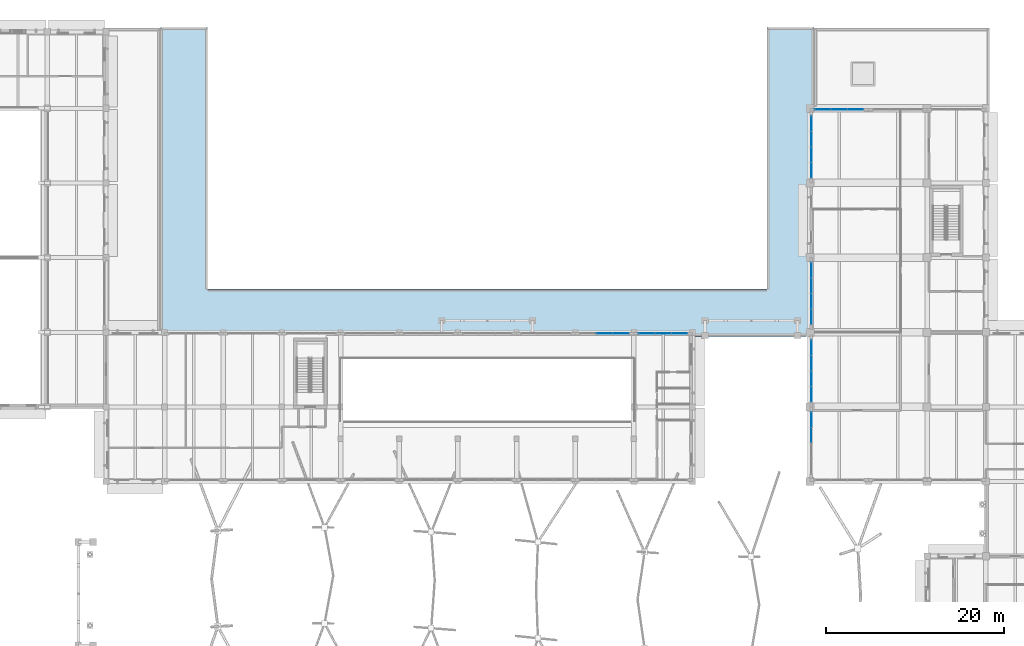
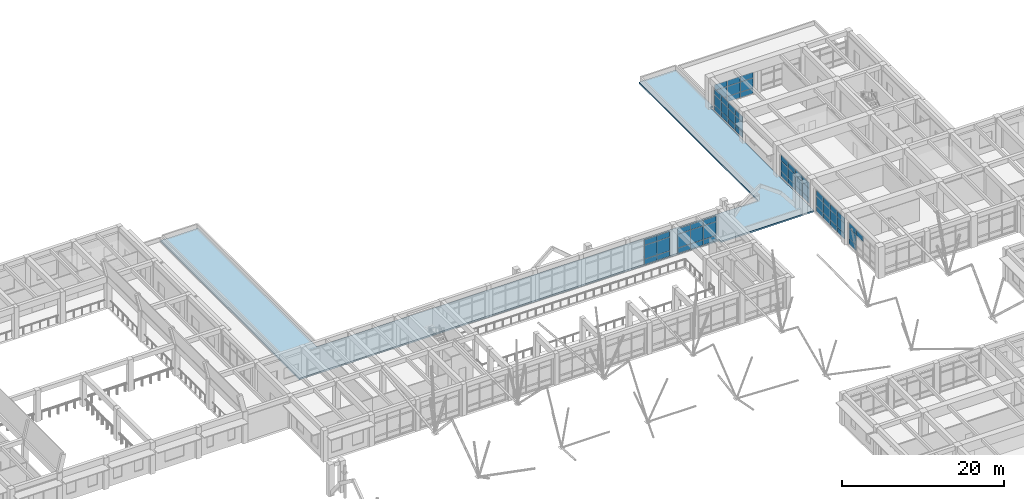
# One storey, part 38 of 75: 64 plates, 1 slab, 7 elements without a shape of their own.
"""IFC4 building model written with IfcOpenShell, lengths in metres."""

from ifc_helpers import new_model, si_unit, direction, frame, origin, origin_2d, place, context, subcontext, project, spatial, polyline, rectangle, outline, extrude, material, layer, layer_set, type_object, element, aggregate, save


model = new_model("IFC4")

# Units and contexts
model_context = context("Model", 3, precision=1e-05, world=origin(), true_north=direction((0.0, 1.0)))
body_context = subcontext(model_context, "Body", "Model", "MODEL_VIEW")
ifc_project = project(units=[si_unit("LENGTHUNIT", "METRE"), si_unit("AREAUNIT", "SQUARE_METRE"), si_unit("VOLUMEUNIT", "CUBIC_METRE"), si_unit("PLANEANGLEUNIT", "RADIAN"), si_unit("MASSUNIT", "GRAM", prefix="KILO")], contexts=[model_context])

# Site, building, storey
site_placement = place(None, origin())
site = spatial("IfcSite", under=ifc_project, at=site_placement, CompositionType="ELEMENT")
building_placement = place(site_placement, origin())
building = spatial("IfcBuilding", under=site, at=building_placement, Name="Kolvaren Faculty of Natural Sciences", CompositionType="ELEMENT")
storey_placement = place(building_placement, frame((0.0, 0.0, 5.39990234375)))
storey = spatial("IfcBuildingStorey", under=building, at=storey_placement, Name="L01", CompositionType="ELEMENT", Elevation=5.39990234375)

# Curtain wall, plate
ifc_material_1 = material(Name="Thermally broken anodised aluminium framing", Category="aluminium")
ifc_layer_1 = layer(ifc_material_1, 0.179931640625)
ifc_layer_set_1 = layer_set([ifc_layer_1], Name="Thermally broken anodised aluminium framing")
curtain_wall_type_1 = type_object("IfcCurtainWallType", Name="CommonsCurtainWall_CW02", PredefinedType="NOTDEFINED", material=ifc_layer_set_1)
curtain_wall_1_placement = place(storey_placement, origin())
curtain_wall_1 = element("IfcCurtainWall", 1, at=curtain_wall_1_placement, inside=storey, type_object=curtain_wall_type_1, Name="L01 unitised curtain wall CW-02 (CW-L01-033)", PredefinedType="NOTDEFINED")
ifc_material_2 = material(Name="Double low-E solar control insulated glazing", Category="glass")
ifc_layer_2 = layer(ifc_material_2, 0.035888671875)
ifc_layer_set_2 = layer_set([ifc_layer_2], Name="Double low-E solar control insulated glazing")
plate_type_1 = type_object("IfcPlateType", Name="EnvelopePlate_CWPGL1", PredefinedType="CURTAIN_PANEL", material=ifc_layer_set_2)
plate_1_placement = place(storey_placement, frame((119.159912109375, 74.37744140625, 0.919921875), z_axis=(0.0, 0.0, 1.0), x_axis=(0.0, 1.0, 0.0)))
plate_1 = element("IfcPlate", 2, at=plate_1_placement, type_object=plate_type_1, Name="CW-L01-033 panel 4 V1", PredefinedType="CURTAIN_PANEL", context=body_context, shape_type="SweptSolid", body=[
    extrude(rectangle(XDim=1.695068359375, YDim=0.035888671875, at=origin_2d()), origin(), (0.0, 0.0, 1.0), 1.4951171875),
])

# Curtain wall, plates
curtain_wall_2_placement = place(storey_placement, origin())
curtain_wall_2 = element("IfcCurtainWall", 3, at=curtain_wall_2_placement, inside=storey, type_object=curtain_wall_type_1, Name="L01 unitised curtain wall CW-02 (CW-L01-034)", PredefinedType="NOTDEFINED")
plate_2_placement = place(storey_placement, frame((119.159912109375, 77.222412109375, 0.919921875), z_axis=(0.0, 0.0, 1.0), x_axis=(0.0, 1.0, 0.0)))
plate_2 = element("IfcPlate", 4, at=plate_2_placement, type_object=plate_type_1, Name="CW-L01-034 panel 1 V1", PredefinedType="CURTAIN_PANEL", context=body_context, shape_type="SweptSolid", body=[
    extrude(rectangle(XDim=1.695068359375, YDim=0.035888671875, at=origin_2d()), origin(), (0.0, 0.0, 1.0), 1.4951171875),
])
plate_3_placement = place(storey_placement, frame((119.159912109375, 78.967529296875, 0.919921875), z_axis=(0.0, 0.0, 1.0), x_axis=(0.0, 1.0, 0.0)))
plate_3 = element("IfcPlate", 5, at=plate_3_placement, type_object=plate_type_1, Name="CW-L01-034 panel 2 V1", PredefinedType="CURTAIN_PANEL", context=body_context, shape_type="SweptSolid", body=[
    extrude(rectangle(XDim=1.695068359375, YDim=0.035888671875, at=origin_2d()), origin(), (0.0, 0.0, 1.0), 1.4951171875),
])
plate_4_placement = place(storey_placement, frame((119.159912109375, 80.71240234375, 0.919921875), z_axis=(0.0, 0.0, 1.0), x_axis=(0.0, 1.0, 0.0)))
plate_4 = element("IfcPlate", 6, at=plate_4_placement, type_object=plate_type_1, Name="CW-L01-034 panel 3 V1", PredefinedType="CURTAIN_PANEL", context=body_context, shape_type="SweptSolid", body=[
    extrude(rectangle(XDim=1.695068359375, YDim=0.035888671875, at=origin_2d()), origin(), (0.0, 0.0, 1.0), 1.4951171875),
])
plate_5_placement = place(storey_placement, frame((119.159912109375, 82.45751953125, 0.919921875), z_axis=(0.0, 0.0, 1.0), x_axis=(0.0, 1.0, 0.0)))
plate_5 = element("IfcPlate", 7, at=plate_5_placement, type_object=plate_type_1, Name="CW-L01-034 panel 4 V1", PredefinedType="CURTAIN_PANEL", context=body_context, shape_type="SweptSolid", body=[
    extrude(rectangle(XDim=1.695068359375, YDim=0.035888671875, at=origin_2d()), origin(), (0.0, 0.0, 1.0), 1.4951171875),
])

curtain_wall_3_placement = place(storey_placement, origin())
curtain_wall_3 = element("IfcCurtainWall", 8, at=curtain_wall_3_placement, inside=storey, type_object=curtain_wall_type_1, Name="L01 unitised curtain wall CW-02 (CW-L01-035)", PredefinedType="NOTDEFINED")
plate_6_placement = place(storey_placement, frame((119.159912109375, 85.9423828125, 0.919921875), z_axis=(0.0, 0.0, 1.0), x_axis=(0.0, 1.0, 0.0)))
plate_6 = element("IfcPlate", 9, at=plate_6_placement, type_object=plate_type_1, Name="CW-L01-035 panel 1 V1", PredefinedType="CURTAIN_PANEL", context=body_context, shape_type="SweptSolid", body=[
    extrude(rectangle(XDim=1.695068359375, YDim=0.035888671875, at=origin_2d()), origin(), (0.0, 0.0, 1.0), 1.4951171875),
])
plate_7_placement = place(storey_placement, frame((119.159912109375, 87.6875, 0.919921875), z_axis=(0.0, 0.0, 1.0), x_axis=(0.0, 1.0, 0.0)))
plate_7 = element("IfcPlate", 10, at=plate_7_placement, type_object=plate_type_1, Name="CW-L01-035 panel 2 V1", PredefinedType="CURTAIN_PANEL", context=body_context, shape_type="SweptSolid", body=[
    extrude(rectangle(XDim=1.695068359375, YDim=0.035888671875, at=origin_2d()), origin(), (0.0, 0.0, 1.0), 1.4951171875),
])
plate_8_placement = place(storey_placement, frame((119.159912109375, 89.4326171875, 0.919921875), z_axis=(0.0, 0.0, 1.0), x_axis=(0.0, 1.0, 0.0)))
plate_8 = element("IfcPlate", 11, at=plate_8_placement, type_object=plate_type_1, Name="CW-L01-035 panel 3 V1", PredefinedType="CURTAIN_PANEL", context=body_context, shape_type="SweptSolid", body=[
    extrude(rectangle(XDim=1.695068359375, YDim=0.035888671875, at=origin_2d()), origin(), (0.0, 0.0, 1.0), 1.4951171875),
])
plate_9_placement = place(storey_placement, frame((119.159912109375, 91.177490234375, 0.919921875), z_axis=(0.0, 0.0, 1.0), x_axis=(0.0, 1.0, 0.0)))
plate_9 = element("IfcPlate", 12, at=plate_9_placement, type_object=plate_type_1, Name="CW-L01-035 panel 4 V1", PredefinedType="CURTAIN_PANEL", context=body_context, shape_type="SweptSolid", body=[
    extrude(rectangle(XDim=1.695068359375, YDim=0.035888671875, at=origin_2d()), origin(), (0.0, 0.0, 1.0), 1.4951171875),
])

curtain_wall_4_placement = place(storey_placement, origin())
curtain_wall_4 = element("IfcCurtainWall", 13, at=curtain_wall_4_placement, inside=storey, type_object=curtain_wall_type_1, Name="L01 unitised curtain wall CW-02 (CW-L01-036)", PredefinedType="NOTDEFINED")
plate_10_placement = place(storey_placement, frame((119.159912109375, 102.422607421875, 0.919921875), z_axis=(0.0, 0.0, 1.0), x_axis=(0.0, 1.0, 0.0)))
plate_10 = element("IfcPlate", 14, at=plate_10_placement, type_object=plate_type_1, Name="CW-L01-036 panel 1 V1", PredefinedType="CURTAIN_PANEL", context=body_context, shape_type="SweptSolid", body=[
    extrude(rectangle(XDim=1.695068359375, YDim=0.035888671875, at=origin_2d()), origin(), (0.0, 0.0, 1.0), 1.4951171875),
])
plate_11_placement = place(storey_placement, frame((119.159912109375, 104.16748046875, 0.919921875), z_axis=(0.0, 0.0, 1.0), x_axis=(0.0, 1.0, 0.0)))
plate_11 = element("IfcPlate", 15, at=plate_11_placement, type_object=plate_type_1, Name="CW-L01-036 panel 2 V1", PredefinedType="CURTAIN_PANEL", context=body_context, shape_type="SweptSolid", body=[
    extrude(rectangle(XDim=1.695068359375, YDim=0.035888671875, at=origin_2d()), origin(), (0.0, 0.0, 1.0), 1.4951171875),
])
plate_12_placement = place(storey_placement, frame((119.159912109375, 105.91259765625, 0.919921875), z_axis=(0.0, 0.0, 1.0), x_axis=(0.0, 1.0, 0.0)))
plate_12 = element("IfcPlate", 16, at=plate_12_placement, type_object=plate_type_1, Name="CW-L01-036 panel 3 V1", PredefinedType="CURTAIN_PANEL", context=body_context, shape_type="SweptSolid", body=[
    extrude(rectangle(XDim=1.695068359375, YDim=0.035888671875, at=origin_2d()), origin(), (0.0, 0.0, 1.0), 1.4951171875),
])
plate_13_placement = place(storey_placement, frame((119.159912109375, 107.657470703125, 0.919921875), z_axis=(0.0, 0.0, 1.0), x_axis=(0.0, 1.0, 0.0)))
plate_13 = element("IfcPlate", 17, at=plate_13_placement, type_object=plate_type_1, Name="CW-L01-036 panel 4 V1", PredefinedType="CURTAIN_PANEL", context=body_context, shape_type="SweptSolid", body=[
    extrude(rectangle(XDim=1.695068359375, YDim=0.035888671875, at=origin_2d()), origin(), (0.0, 0.0, 1.0), 1.4951171875),
])

curtain_wall_5_placement = place(storey_placement, origin())
curtain_wall_5 = element("IfcCurtainWall", 18, at=curtain_wall_5_placement, inside=storey, type_object=curtain_wall_type_1, Name="L01 unitised curtain wall CW-02 (CW-L01-037)", PredefinedType="NOTDEFINED")
plate_14_placement = place(storey_placement, frame((120.466796875, 109.239990234375, 0.919921875), z_axis=(0.0, 0.0, 1.0), x_axis=(1.0, 0.0, 0.0)))
plate_14 = element("IfcPlate", 19, at=plate_14_placement, type_object=plate_type_1, Name="CW-L01-037 panel 1 V1", PredefinedType="CURTAIN_PANEL", context=body_context, shape_type="SweptSolid", body=[
    extrude(rectangle(XDim=1.783203125, YDim=0.035888671875, at=origin_2d()), origin(), (0.0, 0.0, 1.0), 1.4951171875),
])
plate_15_placement = place(storey_placement, frame((122.300048828125, 109.239990234375, 0.919921875), z_axis=(0.0, 0.0, 1.0), x_axis=(1.0, 0.0, 0.0)))
plate_15 = element("IfcPlate", 20, at=plate_15_placement, type_object=plate_type_1, Name="CW-L01-037 panel 2 V1", PredefinedType="CURTAIN_PANEL", context=body_context, shape_type="SweptSolid", body=[
    extrude(rectangle(XDim=1.783203125, YDim=0.035888671875, at=origin_2d()), origin(), (0.0, 0.0, 1.0), 1.4951171875),
])
plate_16_placement = place(storey_placement, frame((124.13330078125, 109.239990234375, 0.919921875), z_axis=(0.0, 0.0, 1.0), x_axis=(1.0, 0.0, 0.0)))
plate_16 = element("IfcPlate", 21, at=plate_16_placement, type_object=plate_type_1, Name="CW-L01-037 panel 3 V1", PredefinedType="CURTAIN_PANEL", context=body_context, shape_type="SweptSolid", body=[
    extrude(rectangle(XDim=1.783203125, YDim=0.035888671875, at=origin_2d()), origin(), (0.0, 0.0, 1.0), 1.4951171875),
])

ifc_layer_3 = layer(ifc_material_1, 0.179931640625)
ifc_layer_set_3 = layer_set([ifc_layer_3], Name="Thermally broken anodised aluminium framing")
curtain_wall_type_2 = type_object("IfcCurtainWallType", Name="AtriumCurtainWall_CW01", PredefinedType="NOTDEFINED", material=ifc_layer_set_3)
curtain_wall_6_placement = place(storey_placement, origin())
curtain_wall_6 = element("IfcCurtainWall", 22, at=curtain_wall_6_placement, inside=storey, type_object=curtain_wall_type_2, Name="L01 unitised curtain wall CW-01 (CW-L01-060)", PredefinedType="NOTDEFINED")
plate_17_placement = place(storey_placement, frame((95.89990234375, 84.0400390625, 0.920166015625), z_axis=(0.0, 0.0, 1.0), x_axis=(1.0, 0.0, 0.0)))
plate_17 = element("IfcPlate", 23, at=plate_17_placement, type_object=plate_type_1, Name="CW-L01-060 panel 2 V1", PredefinedType="CURTAIN_PANEL", context=body_context, shape_type="SweptSolid", body=[
    extrude(rectangle(XDim=1.783203125, YDim=0.035888671875, at=origin_2d()), origin(), (0.0, 0.0, 1.0), 2.044921875),
])
plate_18_placement = place(storey_placement, frame((97.7333984375, 84.0400390625, 0.920166015625), z_axis=(0.0, 0.0, 1.0), x_axis=(1.0, 0.0, 0.0)))
plate_18 = element("IfcPlate", 24, at=plate_18_placement, type_object=plate_type_1, Name="CW-L01-060 panel 3 V1", PredefinedType="CURTAIN_PANEL", context=body_context, shape_type="SweptSolid", body=[
    extrude(rectangle(XDim=1.783203125, YDim=0.035888671875, at=origin_2d()), origin(), (0.0, 0.0, 1.0), 2.044921875),
])

curtain_wall_7_placement = place(storey_placement, origin())
curtain_wall_7 = element("IfcCurtainWall", 25, at=curtain_wall_7_placement, inside=storey, type_object=curtain_wall_type_2, Name="L01 unitised curtain wall CW-01 (CW-L01-061)", PredefinedType="NOTDEFINED")
plate_19_placement = place(storey_placement, frame((100.666748046875, 84.0400390625, 0.920166015625), z_axis=(0.0, 0.0, 1.0), x_axis=(1.0, 0.0, 0.0)))
plate_19 = element("IfcPlate", 26, at=plate_19_placement, type_object=plate_type_1, Name="CW-L01-061 panel 1 V1", PredefinedType="CURTAIN_PANEL", context=body_context, shape_type="SweptSolid", body=[
    extrude(rectangle(XDim=1.783203125, YDim=0.035888671875, at=origin_2d()), origin(), (0.0, 0.0, 1.0), 2.044921875),
])
plate_20_placement = place(storey_placement, frame((102.5, 84.0400390625, 0.920166015625), z_axis=(0.0, 0.0, 1.0), x_axis=(1.0, 0.0, 0.0)))
plate_20 = element("IfcPlate", 27, at=plate_20_placement, type_object=plate_type_1, Name="CW-L01-061 panel 2 V1", PredefinedType="CURTAIN_PANEL", context=body_context, shape_type="SweptSolid", body=[
    extrude(rectangle(XDim=1.783203125, YDim=0.035888671875, at=origin_2d()), origin(), (0.0, 0.0, 1.0), 2.044921875),
])
plate_21_placement = place(storey_placement, frame((104.333251953125, 84.0400390625, 0.920166015625), z_axis=(0.0, 0.0, 1.0), x_axis=(1.0, 0.0, 0.0)))
plate_21 = element("IfcPlate", 28, at=plate_21_placement, type_object=plate_type_1, Name="CW-L01-061 panel 3 V1", PredefinedType="CURTAIN_PANEL", context=body_context, shape_type="SweptSolid", body=[
    extrude(rectangle(XDim=1.783203125, YDim=0.035888671875, at=origin_2d()), origin(), (0.0, 0.0, 1.0), 2.044921875),
])

# Plate
ifc_layer_4 = layer(ifc_material_2, 0.035888671875)
ifc_layer_set_4 = layer_set([ifc_layer_4], Name="Double low-E solar control insulated glazing")
plate_type_2 = type_object("IfcPlateType", Name="EnvelopePlate_CWPGL2", PredefinedType="CURTAIN_PANEL", material=ifc_layer_set_4)
plate_22_placement = place(storey_placement, frame((119.159912109375, 72.632568359375, 2.455078125), z_axis=(0.0, 0.0, 1.0), x_axis=(0.0, 1.0, 0.0)))
plate_22 = element("IfcPlate", 29, at=plate_22_placement, type_object=plate_type_2, Name="CW-L01-033 panel 3 V2", PredefinedType="CURTAIN_PANEL", context=body_context, shape_type="SweptSolid", body=[
    extrude(rectangle(XDim=1.695068359375, YDim=0.035888671875, at=origin_2d()), origin(), (0.0, 0.0, 1.0), 0.830078125),
])

plate_23_placement = place(storey_placement, frame((119.159912109375, 74.37744140625, 2.455078125), z_axis=(0.0, 0.0, 1.0), x_axis=(0.0, 1.0, 0.0)))
plate_23 = element("IfcPlate", 30, at=plate_23_placement, type_object=plate_type_2, Name="CW-L01-033 panel 4 V2", PredefinedType="CURTAIN_PANEL", context=body_context, shape_type="SweptSolid", body=[
    extrude(rectangle(XDim=1.695068359375, YDim=0.035888671875, at=origin_2d()), origin(), (0.0, 0.0, 1.0), 0.830078125),
])

plate_24_placement = place(storey_placement, frame((119.159912109375, 77.222412109375, 2.455078125), z_axis=(0.0, 0.0, 1.0), x_axis=(0.0, 1.0, 0.0)))
plate_24 = element("IfcPlate", 31, at=plate_24_placement, type_object=plate_type_2, Name="CW-L01-034 panel 1 V2", PredefinedType="CURTAIN_PANEL", context=body_context, shape_type="SweptSolid", body=[
    extrude(rectangle(XDim=1.695068359375, YDim=0.035888671875, at=origin_2d()), origin(), (0.0, 0.0, 1.0), 0.830078125),
])

plate_25_placement = place(storey_placement, frame((119.159912109375, 78.967529296875, 2.455078125), z_axis=(0.0, 0.0, 1.0), x_axis=(0.0, 1.0, 0.0)))
plate_25 = element("IfcPlate", 32, at=plate_25_placement, type_object=plate_type_2, Name="CW-L01-034 panel 2 V2", PredefinedType="CURTAIN_PANEL", context=body_context, shape_type="SweptSolid", body=[
    extrude(rectangle(XDim=1.695068359375, YDim=0.035888671875, at=origin_2d()), origin(), (0.0, 0.0, 1.0), 0.830078125),
])

plate_26_placement = place(storey_placement, frame((119.159912109375, 80.71240234375, 2.455078125), z_axis=(0.0, 0.0, 1.0), x_axis=(0.0, 1.0, 0.0)))
plate_26 = element("IfcPlate", 33, at=plate_26_placement, type_object=plate_type_2, Name="CW-L01-034 panel 3 V2", PredefinedType="CURTAIN_PANEL", context=body_context, shape_type="SweptSolid", body=[
    extrude(rectangle(XDim=1.695068359375, YDim=0.035888671875, at=origin_2d()), origin(), (0.0, 0.0, 1.0), 0.830078125),
])

plate_27_placement = place(storey_placement, frame((119.159912109375, 82.45751953125, 2.455078125), z_axis=(0.0, 0.0, 1.0), x_axis=(0.0, 1.0, 0.0)))
plate_27 = element("IfcPlate", 34, at=plate_27_placement, type_object=plate_type_2, Name="CW-L01-034 panel 4 V2", PredefinedType="CURTAIN_PANEL", context=body_context, shape_type="SweptSolid", body=[
    extrude(rectangle(XDim=1.695068359375, YDim=0.035888671875, at=origin_2d()), origin(), (0.0, 0.0, 1.0), 0.830078125),
])

plate_28_placement = place(storey_placement, frame((119.159912109375, 85.9423828125, 2.455078125), z_axis=(0.0, 0.0, 1.0), x_axis=(0.0, 1.0, 0.0)))
plate_28 = element("IfcPlate", 35, at=plate_28_placement, type_object=plate_type_2, Name="CW-L01-035 panel 1 V2", PredefinedType="CURTAIN_PANEL", context=body_context, shape_type="SweptSolid", body=[
    extrude(rectangle(XDim=1.695068359375, YDim=0.035888671875, at=origin_2d()), origin(), (0.0, 0.0, 1.0), 0.830078125),
])

plate_29_placement = place(storey_placement, frame((119.159912109375, 87.6875, 2.455078125), z_axis=(0.0, 0.0, 1.0), x_axis=(0.0, 1.0, 0.0)))
plate_29 = element("IfcPlate", 36, at=plate_29_placement, type_object=plate_type_2, Name="CW-L01-035 panel 2 V2", PredefinedType="CURTAIN_PANEL", context=body_context, shape_type="SweptSolid", body=[
    extrude(rectangle(XDim=1.695068359375, YDim=0.035888671875, at=origin_2d()), origin(), (0.0, 0.0, 1.0), 0.830078125),
])

plate_30_placement = place(storey_placement, frame((119.159912109375, 89.4326171875, 2.455078125), z_axis=(0.0, 0.0, 1.0), x_axis=(0.0, 1.0, 0.0)))
plate_30 = element("IfcPlate", 37, at=plate_30_placement, type_object=plate_type_2, Name="CW-L01-035 panel 3 V2", PredefinedType="CURTAIN_PANEL", context=body_context, shape_type="SweptSolid", body=[
    extrude(rectangle(XDim=1.695068359375, YDim=0.035888671875, at=origin_2d()), origin(), (0.0, 0.0, 1.0), 0.830078125),
])

plate_31_placement = place(storey_placement, frame((119.159912109375, 91.177490234375, 2.455078125), z_axis=(0.0, 0.0, 1.0), x_axis=(0.0, 1.0, 0.0)))
plate_31 = element("IfcPlate", 38, at=plate_31_placement, type_object=plate_type_2, Name="CW-L01-035 panel 4 V2", PredefinedType="CURTAIN_PANEL", context=body_context, shape_type="SweptSolid", body=[
    extrude(rectangle(XDim=1.695068359375, YDim=0.035888671875, at=origin_2d()), origin(), (0.0, 0.0, 1.0), 0.830078125),
])

plate_32_placement = place(storey_placement, frame((119.159912109375, 102.422607421875, 2.455078125), z_axis=(0.0, 0.0, 1.0), x_axis=(0.0, 1.0, 0.0)))
plate_32 = element("IfcPlate", 39, at=plate_32_placement, type_object=plate_type_2, Name="CW-L01-036 panel 1 V2", PredefinedType="CURTAIN_PANEL", context=body_context, shape_type="SweptSolid", body=[
    extrude(rectangle(XDim=1.695068359375, YDim=0.035888671875, at=origin_2d()), origin(), (0.0, 0.0, 1.0), 0.830078125),
])

plate_33_placement = place(storey_placement, frame((119.159912109375, 104.16748046875, 2.455078125), z_axis=(0.0, 0.0, 1.0), x_axis=(0.0, 1.0, 0.0)))
plate_33 = element("IfcPlate", 40, at=plate_33_placement, type_object=plate_type_2, Name="CW-L01-036 panel 2 V2", PredefinedType="CURTAIN_PANEL", context=body_context, shape_type="SweptSolid", body=[
    extrude(rectangle(XDim=1.695068359375, YDim=0.035888671875, at=origin_2d()), origin(), (0.0, 0.0, 1.0), 0.830078125),
])

plate_34_placement = place(storey_placement, frame((119.159912109375, 105.91259765625, 2.455078125), z_axis=(0.0, 0.0, 1.0), x_axis=(0.0, 1.0, 0.0)))
plate_34 = element("IfcPlate", 41, at=plate_34_placement, type_object=plate_type_2, Name="CW-L01-036 panel 3 V2", PredefinedType="CURTAIN_PANEL", context=body_context, shape_type="SweptSolid", body=[
    extrude(rectangle(XDim=1.695068359375, YDim=0.035888671875, at=origin_2d()), origin(), (0.0, 0.0, 1.0), 0.830078125),
])

plate_35_placement = place(storey_placement, frame((119.159912109375, 107.657470703125, 2.455078125), z_axis=(0.0, 0.0, 1.0), x_axis=(0.0, 1.0, 0.0)))
plate_35 = element("IfcPlate", 42, at=plate_35_placement, type_object=plate_type_2, Name="CW-L01-036 panel 4 V2", PredefinedType="CURTAIN_PANEL", context=body_context, shape_type="SweptSolid", body=[
    extrude(rectangle(XDim=1.695068359375, YDim=0.035888671875, at=origin_2d()), origin(), (0.0, 0.0, 1.0), 0.830078125),
])

plate_36_placement = place(storey_placement, frame((120.466796875, 109.239990234375, 2.455078125), z_axis=(0.0, 0.0, 1.0), x_axis=(1.0, 0.0, 0.0)))
plate_36 = element("IfcPlate", 43, at=plate_36_placement, type_object=plate_type_2, Name="CW-L01-037 panel 1 V2", PredefinedType="CURTAIN_PANEL", context=body_context, shape_type="SweptSolid", body=[
    extrude(rectangle(XDim=1.783203125, YDim=0.035888671875, at=origin_2d()), origin(), (0.0, 0.0, 1.0), 0.830078125),
])

plate_37_placement = place(storey_placement, frame((122.300048828125, 109.239990234375, 2.455078125), z_axis=(0.0, 0.0, 1.0), x_axis=(1.0, 0.0, 0.0)))
plate_37 = element("IfcPlate", 44, at=plate_37_placement, type_object=plate_type_2, Name="CW-L01-037 panel 2 V2", PredefinedType="CURTAIN_PANEL", context=body_context, shape_type="SweptSolid", body=[
    extrude(rectangle(XDim=1.783203125, YDim=0.035888671875, at=origin_2d()), origin(), (0.0, 0.0, 1.0), 0.830078125),
])

plate_38_placement = place(storey_placement, frame((124.13330078125, 109.239990234375, 2.455078125), z_axis=(0.0, 0.0, 1.0), x_axis=(1.0, 0.0, 0.0)))
plate_38 = element("IfcPlate", 45, at=plate_38_placement, type_object=plate_type_2, Name="CW-L01-037 panel 3 V2", PredefinedType="CURTAIN_PANEL", context=body_context, shape_type="SweptSolid", body=[
    extrude(rectangle(XDim=1.783203125, YDim=0.035888671875, at=origin_2d()), origin(), (0.0, 0.0, 1.0), 0.830078125),
])

plate_39_placement = place(storey_placement, frame((95.89990234375, 84.0400390625, 3.005126953125), z_axis=(0.0, 0.0, 1.0), x_axis=(1.0, 0.0, 0.0)))
plate_39 = element("IfcPlate", 46, at=plate_39_placement, type_object=plate_type_2, Name="CW-L01-060 panel 2 V2", PredefinedType="CURTAIN_PANEL", context=body_context, shape_type="SweptSolid", body=[
    extrude(rectangle(XDim=1.783203125, YDim=0.035888671875, at=origin_2d()), origin(), (0.0, 0.0, 1.0), 0.830078125),
])

plate_40_placement = place(storey_placement, frame((97.7333984375, 84.0400390625, 3.005126953125), z_axis=(0.0, 0.0, 1.0), x_axis=(1.0, 0.0, 0.0)))
plate_40 = element("IfcPlate", 47, at=plate_40_placement, type_object=plate_type_2, Name="CW-L01-060 panel 3 V2", PredefinedType="CURTAIN_PANEL", context=body_context, shape_type="SweptSolid", body=[
    extrude(rectangle(XDim=1.783203125, YDim=0.035888671875, at=origin_2d()), origin(), (0.0, 0.0, 1.0), 0.830078125),
])

plate_41_placement = place(storey_placement, frame((100.666748046875, 84.0400390625, 3.005126953125), z_axis=(0.0, 0.0, 1.0), x_axis=(1.0, 0.0, 0.0)))
plate_41 = element("IfcPlate", 48, at=plate_41_placement, type_object=plate_type_2, Name="CW-L01-061 panel 1 V2", PredefinedType="CURTAIN_PANEL", context=body_context, shape_type="SweptSolid", body=[
    extrude(rectangle(XDim=1.783203125, YDim=0.035888671875, at=origin_2d()), origin(), (0.0, 0.0, 1.0), 0.830078125),
])

plate_42_placement = place(storey_placement, frame((102.5, 84.0400390625, 3.005126953125), z_axis=(0.0, 0.0, 1.0), x_axis=(1.0, 0.0, 0.0)))
plate_42 = element("IfcPlate", 49, at=plate_42_placement, type_object=plate_type_2, Name="CW-L01-061 panel 2 V2", PredefinedType="CURTAIN_PANEL", context=body_context, shape_type="SweptSolid", body=[
    extrude(rectangle(XDim=1.783203125, YDim=0.035888671875, at=origin_2d()), origin(), (0.0, 0.0, 1.0), 0.830078125),
])

plate_43_placement = place(storey_placement, frame((104.333251953125, 84.0400390625, 3.005126953125), z_axis=(0.0, 0.0, 1.0), x_axis=(1.0, 0.0, 0.0)))
plate_43 = element("IfcPlate", 50, at=plate_43_placement, type_object=plate_type_2, Name="CW-L01-061 panel 3 V2", PredefinedType="CURTAIN_PANEL", context=body_context, shape_type="SweptSolid", body=[
    extrude(rectangle(XDim=1.783203125, YDim=0.035888671875, at=origin_2d()), origin(), (0.0, 0.0, 1.0), 0.830078125),
])

ifc_material_3 = material(Name="Insulated anodised aluminium spandrel panel", Category="aluminium")
ifc_layer_5 = layer(ifc_material_3, 0.050048828125)
ifc_layer_set_5 = layer_set([ifc_layer_5], Name="Insulated anodised aluminium spandrel panel")
plate_type_3 = type_object("IfcPlateType", Name="EnvelopePlate_CWPSP1", PredefinedType="SHEET", material=ifc_layer_set_5)
plate_44_placement = place(storey_placement, frame((119.159912109375, 74.37744140625, 0.10009765625), z_axis=(0.0, 0.0, 1.0), x_axis=(0.0, 1.0, 0.0)))
plate_44 = element("IfcPlate", 51, at=plate_44_placement, type_object=plate_type_3, Name="CW-L01-033 panel 4 SP", PredefinedType="SHEET", context=body_context, shape_type="SweptSolid", body=[
    extrude(rectangle(XDim=1.695068359375, YDim=0.050048828125, at=origin_2d()), origin(), (0.0, 0.0, 1.0), 0.780029296875),
])

aggregate(curtain_wall_1, [plate_22, plate_44, plate_1, plate_23])

plate_45_placement = place(storey_placement, frame((119.159912109375, 77.222412109375, 0.10009765625), z_axis=(0.0, 0.0, 1.0), x_axis=(0.0, 1.0, 0.0)))
plate_45 = element("IfcPlate", 52, at=plate_45_placement, type_object=plate_type_3, Name="CW-L01-034 panel 1 SP", PredefinedType="SHEET", context=body_context, shape_type="SweptSolid", body=[
    extrude(rectangle(XDim=1.695068359375, YDim=0.050048828125, at=origin_2d()), origin(), (0.0, 0.0, 1.0), 0.780029296875),
])

plate_46_placement = place(storey_placement, frame((119.159912109375, 78.967529296875, 0.10009765625), z_axis=(0.0, 0.0, 1.0), x_axis=(0.0, 1.0, 0.0)))
plate_46 = element("IfcPlate", 53, at=plate_46_placement, type_object=plate_type_3, Name="CW-L01-034 panel 2 SP", PredefinedType="SHEET", context=body_context, shape_type="SweptSolid", body=[
    extrude(rectangle(XDim=1.695068359375, YDim=0.050048828125, at=origin_2d()), origin(), (0.0, 0.0, 1.0), 0.780029296875),
])

plate_47_placement = place(storey_placement, frame((119.159912109375, 80.71240234375, 0.10009765625), z_axis=(0.0, 0.0, 1.0), x_axis=(0.0, 1.0, 0.0)))
plate_47 = element("IfcPlate", 54, at=plate_47_placement, type_object=plate_type_3, Name="CW-L01-034 panel 3 SP", PredefinedType="SHEET", context=body_context, shape_type="SweptSolid", body=[
    extrude(rectangle(XDim=1.695068359375, YDim=0.050048828125, at=origin_2d()), origin(), (0.0, 0.0, 1.0), 0.780029296875),
])

plate_48_placement = place(storey_placement, frame((119.159912109375, 82.45751953125, 0.10009765625), z_axis=(0.0, 0.0, 1.0), x_axis=(0.0, 1.0, 0.0)))
plate_48 = element("IfcPlate", 55, at=plate_48_placement, type_object=plate_type_3, Name="CW-L01-034 panel 4 SP", PredefinedType="SHEET", context=body_context, shape_type="SweptSolid", body=[
    extrude(rectangle(XDim=1.695068359375, YDim=0.050048828125, at=origin_2d()), origin(), (0.0, 0.0, 1.0), 0.780029296875),
])

aggregate(curtain_wall_2, [plate_45, plate_2, plate_24, plate_46, plate_3, plate_25, plate_47, plate_4, plate_26, plate_48, plate_5, plate_27])

plate_49_placement = place(storey_placement, frame((119.159912109375, 85.9423828125, 0.10009765625), z_axis=(0.0, 0.0, 1.0), x_axis=(0.0, 1.0, 0.0)))
plate_49 = element("IfcPlate", 56, at=plate_49_placement, type_object=plate_type_3, Name="CW-L01-035 panel 1 SP", PredefinedType="SHEET", context=body_context, shape_type="SweptSolid", body=[
    extrude(rectangle(XDim=1.695068359375, YDim=0.050048828125, at=origin_2d()), origin(), (0.0, 0.0, 1.0), 0.780029296875),
])

plate_50_placement = place(storey_placement, frame((119.159912109375, 87.6875, 0.10009765625), z_axis=(0.0, 0.0, 1.0), x_axis=(0.0, 1.0, 0.0)))
plate_50 = element("IfcPlate", 57, at=plate_50_placement, type_object=plate_type_3, Name="CW-L01-035 panel 2 SP", PredefinedType="SHEET", context=body_context, shape_type="SweptSolid", body=[
    extrude(rectangle(XDim=1.695068359375, YDim=0.050048828125, at=origin_2d()), origin(), (0.0, 0.0, 1.0), 0.780029296875),
])

plate_51_placement = place(storey_placement, frame((119.159912109375, 89.4326171875, 0.10009765625), z_axis=(0.0, 0.0, 1.0), x_axis=(0.0, 1.0, 0.0)))
plate_51 = element("IfcPlate", 58, at=plate_51_placement, type_object=plate_type_3, Name="CW-L01-035 panel 3 SP", PredefinedType="SHEET", context=body_context, shape_type="SweptSolid", body=[
    extrude(rectangle(XDim=1.695068359375, YDim=0.050048828125, at=origin_2d()), origin(), (0.0, 0.0, 1.0), 0.780029296875),
])

plate_52_placement = place(storey_placement, frame((119.159912109375, 91.177490234375, 0.10009765625), z_axis=(0.0, 0.0, 1.0), x_axis=(0.0, 1.0, 0.0)))
plate_52 = element("IfcPlate", 59, at=plate_52_placement, type_object=plate_type_3, Name="CW-L01-035 panel 4 SP", PredefinedType="SHEET", context=body_context, shape_type="SweptSolid", body=[
    extrude(rectangle(XDim=1.695068359375, YDim=0.050048828125, at=origin_2d()), origin(), (0.0, 0.0, 1.0), 0.780029296875),
])

aggregate(curtain_wall_3, [plate_49, plate_6, plate_28, plate_50, plate_7, plate_29, plate_51, plate_8, plate_30, plate_52, plate_9, plate_31])

plate_53_placement = place(storey_placement, frame((119.159912109375, 102.422607421875, 0.10009765625), z_axis=(0.0, 0.0, 1.0), x_axis=(0.0, 1.0, 0.0)))
plate_53 = element("IfcPlate", 60, at=plate_53_placement, type_object=plate_type_3, Name="CW-L01-036 panel 1 SP", PredefinedType="SHEET", context=body_context, shape_type="SweptSolid", body=[
    extrude(rectangle(XDim=1.695068359375, YDim=0.050048828125, at=origin_2d()), origin(), (0.0, 0.0, 1.0), 0.780029296875),
])

plate_54_placement = place(storey_placement, frame((119.159912109375, 104.16748046875, 0.10009765625), z_axis=(0.0, 0.0, 1.0), x_axis=(0.0, 1.0, 0.0)))
plate_54 = element("IfcPlate", 61, at=plate_54_placement, type_object=plate_type_3, Name="CW-L01-036 panel 2 SP", PredefinedType="SHEET", context=body_context, shape_type="SweptSolid", body=[
    extrude(rectangle(XDim=1.695068359375, YDim=0.050048828125, at=origin_2d()), origin(), (0.0, 0.0, 1.0), 0.780029296875),
])

plate_55_placement = place(storey_placement, frame((119.159912109375, 105.91259765625, 0.10009765625), z_axis=(0.0, 0.0, 1.0), x_axis=(0.0, 1.0, 0.0)))
plate_55 = element("IfcPlate", 62, at=plate_55_placement, type_object=plate_type_3, Name="CW-L01-036 panel 3 SP", PredefinedType="SHEET", context=body_context, shape_type="SweptSolid", body=[
    extrude(rectangle(XDim=1.695068359375, YDim=0.050048828125, at=origin_2d()), origin(), (0.0, 0.0, 1.0), 0.780029296875),
])

plate_56_placement = place(storey_placement, frame((119.159912109375, 107.657470703125, 0.10009765625), z_axis=(0.0, 0.0, 1.0), x_axis=(0.0, 1.0, 0.0)))
plate_56 = element("IfcPlate", 63, at=plate_56_placement, type_object=plate_type_3, Name="CW-L01-036 panel 4 SP", PredefinedType="SHEET", context=body_context, shape_type="SweptSolid", body=[
    extrude(rectangle(XDim=1.695068359375, YDim=0.050048828125, at=origin_2d()), origin(), (0.0, 0.0, 1.0), 0.780029296875),
])

aggregate(curtain_wall_4, [plate_53, plate_10, plate_32, plate_54, plate_11, plate_33, plate_55, plate_12, plate_34, plate_56, plate_13, plate_35])

plate_57_placement = place(storey_placement, frame((120.466796875, 109.239990234375, 0.10009765625), z_axis=(0.0, 0.0, 1.0), x_axis=(1.0, 0.0, 0.0)))
plate_57 = element("IfcPlate", 64, at=plate_57_placement, type_object=plate_type_3, Name="CW-L01-037 panel 1 SP", PredefinedType="SHEET", context=body_context, shape_type="SweptSolid", body=[
    extrude(rectangle(XDim=1.783203125, YDim=0.050048828125, at=origin_2d()), origin(), (0.0, 0.0, 1.0), 0.780029296875),
])

plate_58_placement = place(storey_placement, frame((122.300048828125, 109.239990234375, 0.10009765625), z_axis=(0.0, 0.0, 1.0), x_axis=(1.0, 0.0, 0.0)))
plate_58 = element("IfcPlate", 65, at=plate_58_placement, type_object=plate_type_3, Name="CW-L01-037 panel 2 SP", PredefinedType="SHEET", context=body_context, shape_type="SweptSolid", body=[
    extrude(rectangle(XDim=1.783203125, YDim=0.050048828125, at=origin_2d()), origin(), (0.0, 0.0, 1.0), 0.780029296875),
])

plate_59_placement = place(storey_placement, frame((124.13330078125, 109.239990234375, 0.10009765625), z_axis=(0.0, 0.0, 1.0), x_axis=(1.0, 0.0, 0.0)))
plate_59 = element("IfcPlate", 66, at=plate_59_placement, type_object=plate_type_3, Name="CW-L01-037 panel 3 SP", PredefinedType="SHEET", context=body_context, shape_type="SweptSolid", body=[
    extrude(rectangle(XDim=1.783203125, YDim=0.050048828125, at=origin_2d()), origin(), (0.0, 0.0, 1.0), 0.780029296875),
])

aggregate(curtain_wall_5, [plate_57, plate_14, plate_36, plate_58, plate_15, plate_37, plate_59, plate_16, plate_38])

plate_60_placement = place(storey_placement, frame((95.89990234375, 84.0400390625, 0.10009765625), z_axis=(0.0, 0.0, 1.0), x_axis=(1.0, 0.0, 0.0)))
plate_60 = element("IfcPlate", 67, at=plate_60_placement, type_object=plate_type_3, Name="CW-L01-060 panel 2 SP", PredefinedType="SHEET", context=body_context, shape_type="SweptSolid", body=[
    extrude(rectangle(XDim=1.783203125, YDim=0.050048828125, at=origin_2d()), origin(), (0.0, 0.0, 1.0), 0.780029296875),
])

plate_61_placement = place(storey_placement, frame((97.7333984375, 84.0400390625, 0.10009765625), z_axis=(0.0, 0.0, 1.0), x_axis=(1.0, 0.0, 0.0)))
plate_61 = element("IfcPlate", 68, at=plate_61_placement, type_object=plate_type_3, Name="CW-L01-060 panel 3 SP", PredefinedType="SHEET", context=body_context, shape_type="SweptSolid", body=[
    extrude(rectangle(XDim=1.783203125, YDim=0.050048828125, at=origin_2d()), origin(), (0.0, 0.0, 1.0), 0.780029296875),
])

aggregate(curtain_wall_6, [plate_60, plate_17, plate_39, plate_61, plate_18, plate_40])

plate_62_placement = place(storey_placement, frame((100.666748046875, 84.0400390625, 0.10009765625), z_axis=(0.0, 0.0, 1.0), x_axis=(1.0, 0.0, 0.0)))
plate_62 = element("IfcPlate", 69, at=plate_62_placement, type_object=plate_type_3, Name="CW-L01-061 panel 1 SP", PredefinedType="SHEET", context=body_context, shape_type="SweptSolid", body=[
    extrude(rectangle(XDim=1.783203125, YDim=0.050048828125, at=origin_2d()), origin(), (0.0, 0.0, 1.0), 0.780029296875),
])

plate_63_placement = place(storey_placement, frame((102.5, 84.0400390625, 0.10009765625), z_axis=(0.0, 0.0, 1.0), x_axis=(1.0, 0.0, 0.0)))
plate_63 = element("IfcPlate", 70, at=plate_63_placement, type_object=plate_type_3, Name="CW-L01-061 panel 2 SP", PredefinedType="SHEET", context=body_context, shape_type="SweptSolid", body=[
    extrude(rectangle(XDim=1.783203125, YDim=0.050048828125, at=origin_2d()), origin(), (0.0, 0.0, 1.0), 0.780029296875),
])

plate_64_placement = place(storey_placement, frame((104.333251953125, 84.0400390625, 0.10009765625), z_axis=(0.0, 0.0, 1.0), x_axis=(1.0, 0.0, 0.0)))
plate_64 = element("IfcPlate", 71, at=plate_64_placement, type_object=plate_type_3, Name="CW-L01-061 panel 3 SP", PredefinedType="SHEET", context=body_context, shape_type="SweptSolid", body=[
    extrude(rectangle(XDim=1.783203125, YDim=0.050048828125, at=origin_2d()), origin(), (0.0, 0.0, 1.0), 0.780029296875),
])

aggregate(curtain_wall_7, [plate_62, plate_19, plate_41, plate_63, plate_20, plate_42, plate_64, plate_21, plate_43])

# Slab
ifc_material_4 = material(Name="Concrete C35/45", Category="concrete")
ifc_layer_6 = layer(ifc_material_4, 0.22998046875)
ifc_layer_set_6 = layer_set([ifc_layer_6], Name="Concrete C35/45")
slab_type = type_object("IfcSlabType", Name="RiwaqArcadeSlab_230", PredefinedType="ROOF", material=ifc_layer_set_6)
slab_placement = place(storey_placement, frame((0.0, 0.0, -0.22998046875)))
element("IfcSlab", 72, at=slab_placement, inside=storey, type_object=slab_type, Name="North civic square three-sided riwaq colonnade roof slab", PredefinedType="ROOF", context=body_context, shape_type="SweptSolid", body=[
    extrude(outline(polyline([(105.800048828125, 83.75), (105.800048828125, 84.199951171875), (59.60009765625, 84.199951171875), (45.949951171875, 84.199951171875), (45.949951171875, 89.050048828125), (45.949951171875, 118.47998046875), (51.25, 118.47998046875), (51.25, 89.050048828125), (114.14990234375, 89.050048828125), (114.14990234375, 118.47998046875), (119.449951171875, 118.47998046875), (119.449951171875, 109.39990234375), (119.0, 109.39990234375), (119.0, 84.199951171875), (119.0, 83.75), (105.800048828125, 83.75)])), origin(), (0.0, 0.0, 1.0), 0.22998046875),
])

save(model, "model.ifc")
